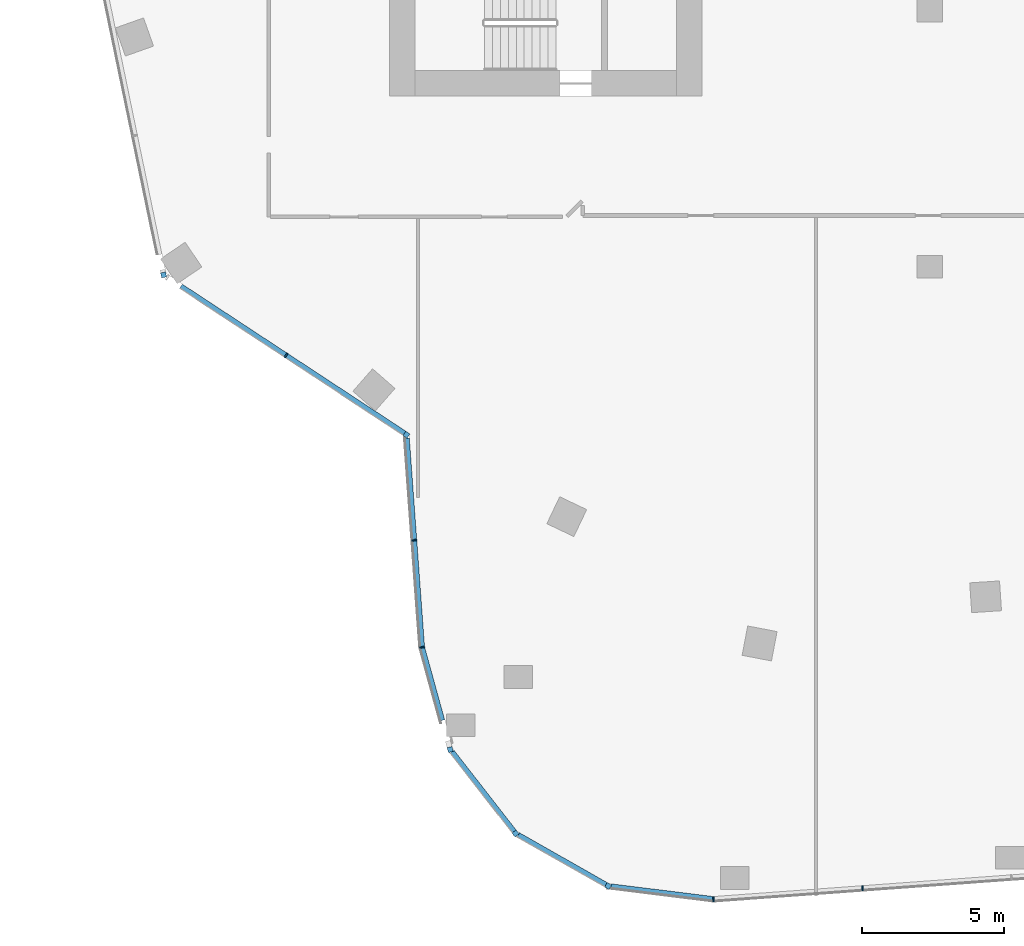
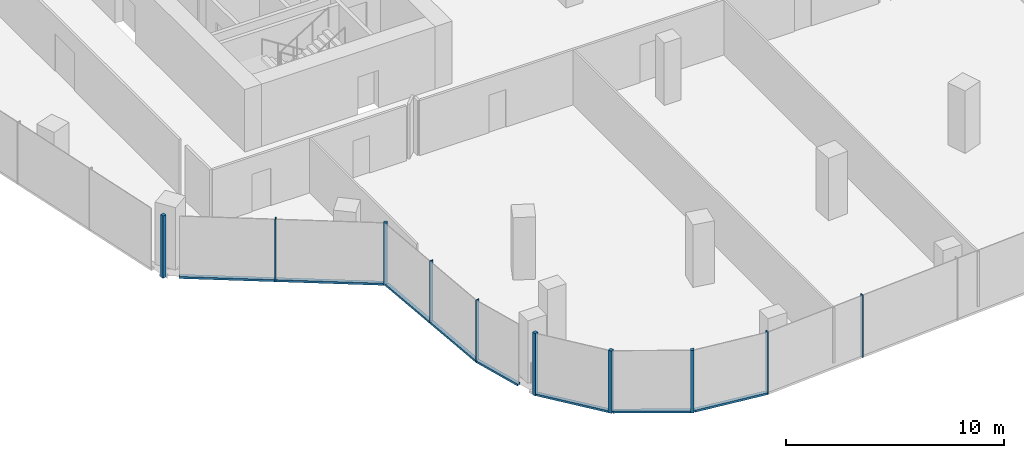
# One storey, part 2 of 24: 16 members, 8 elements without a shape of their own.
"""IFC4 building model written with IfcOpenShell, lengths in metres."""

from ifc_helpers import new_model, si_unit, direction, frame, origin, origin_2d, place, context, subcontext, project, spatial, rectangle, extrude, material, material_profile, profile_set, type_object, element, aggregate, save


model = new_model("IFC4")

# Units and contexts
model_context = context("Model", 3, precision=1e-05, world=origin(), true_north=direction((0.0, 1.0)))
body_context = subcontext(model_context, "Body", "Model", "MODEL_VIEW")
ifc_project = project(units=[si_unit("LENGTHUNIT", "METRE"), si_unit("AREAUNIT", "SQUARE_METRE"), si_unit("VOLUMEUNIT", "CUBIC_METRE"), si_unit("PLANEANGLEUNIT", "RADIAN"), si_unit("MASSUNIT", "GRAM", prefix="KILO")], contexts=[model_context])

# Site, building, storey
site_placement = place(None, origin())
site = spatial("IfcSite", under=ifc_project, at=site_placement, CompositionType="ELEMENT")
building_placement = place(site_placement, origin())
building = spatial("IfcBuilding", under=site, at=building_placement, Name="Orlundy Tower", CompositionType="ELEMENT")
storey_placement = place(building_placement, frame((0.0, 0.0, 235.5)))
storey = spatial("IfcBuildingStorey", under=building, at=storey_placement, Name="L62", CompositionType="ELEMENT", Elevation=235.5)

# Curtain wall, member
ifc_material_1 = material(Name="Aluminium bronze anodised", Category="aluminium")
curtain_wall_type = type_object("IfcCurtainWallType", Name="CW1 wall", PredefinedType="NOTDEFINED", material=ifc_material_1)
curtain_wall_1_placement = place(storey_placement, origin())
curtain_wall_1 = element("IfcCurtainWall", 1, at=curtain_wall_1_placement, inside=storey, type_object=curtain_wall_type, Name="CW1 run 09", PredefinedType="NOTDEFINED")
ifc_material_2 = material(Name="Aluminium bronze anodised", Category="aluminium")
ifc_material_profile_1 = material_profile(ifc_material_2, rectangle(XDim=0.179931640625, YDim=0.179931640625, at=origin_2d()), Name="CW1 corner post 180x180")
ifc_profile_set_1 = profile_set([ifc_material_profile_1], Name="Aluminium bronze anodised")
member_type_1 = type_object("IfcMemberType", Name="CW1 corner post 180x180", PredefinedType="MULLION", material=ifc_profile_set_1)
member_1_placement = place(storey_placement, frame((-11.309814453125, -39.7880859375, -0.39990234375), z_axis=(0.0, 0.0, 1.0), x_axis=(-0.493754430095, -0.869601381531, 0.0)))
member_1 = element("IfcMember", 2, at=member_1_placement, type_object=member_type_1, Name="CW1 mullion 15", PredefinedType="MULLION", context=body_context, shape_type="SweptSolid", body=[
    extrude(rectangle(XDim=0.179931640625, YDim=0.179931640625, at=origin_2d()), origin(), (0.0, 0.0, 1.0), 3.5),
])

curtain_wall_2_placement = place(storey_placement, origin())
curtain_wall_2 = element("IfcCurtainWall", 3, at=curtain_wall_2_placement, inside=storey, type_object=curtain_wall_type, Name="CW1 run 010", PredefinedType="NOTDEFINED")
member_2_placement = place(storey_placement, frame((-14.56396484375, -37.9404296875, -0.39990234375), z_axis=(0.0, 0.0, 1.0), x_axis=(-0.788858043661, -0.614575452611, 0.0)))
member_2 = element("IfcMember", 4, at=member_2_placement, type_object=member_type_1, Name="CW1 mullion 16", PredefinedType="MULLION", context=body_context, shape_type="SweptSolid", body=[
    extrude(rectangle(XDim=0.179931640625, YDim=0.179931640625, at=origin_2d()), origin(), (0.0, 0.0, 1.0), 3.5),
])

curtain_wall_3_placement = place(storey_placement, origin())
curtain_wall_3 = element("IfcCurtainWall", 5, at=curtain_wall_3_placement, inside=storey, type_object=curtain_wall_type, Name="CW1 run 011", PredefinedType="NOTDEFINED")
member_3_placement = place(storey_placement, frame((-16.864013671875, -34.98828125, -0.39990234375), z_axis=(0.0, 0.0, 1.0), x_axis=(-0.964037920682, -0.265764722051, 0.0)))
member_3 = element("IfcMember", 6, at=member_3_placement, type_object=member_type_1, Name="CW1 mullion 17", PredefinedType="MULLION", context=body_context, shape_type="SweptSolid", body=[
    extrude(rectangle(XDim=0.179931640625, YDim=0.179931640625, at=origin_2d()), origin(), (0.0, 0.0, 1.0), 3.5),
])

curtain_wall_4_placement = place(storey_placement, origin())
curtain_wall_4 = element("IfcCurtainWall", 7, at=curtain_wall_4_placement, inside=storey, type_object=curtain_wall_type, Name="CW1 run 013", PredefinedType="NOTDEFINED")
member_4_placement = place(storey_placement, frame((-18.401611328125, -23.911865234375, -0.39990234375), z_axis=(0.0, 0.0, 1.0), x_axis=(-0.54952678446, -0.835476099694, 0.0)))
member_4 = element("IfcMember", 8, at=member_4_placement, type_object=member_type_1, Name="CW1 mullion 20", PredefinedType="MULLION", context=body_context, shape_type="SweptSolid", body=[
    extrude(rectangle(XDim=0.179931640625, YDim=0.179931640625, at=origin_2d()), origin(), (0.0, 0.0, 1.0), 3.5),
])

curtain_wall_5_placement = place(storey_placement, origin())
curtain_wall_5 = element("IfcCurtainWall", 9, at=curtain_wall_5_placement, inside=storey, type_object=curtain_wall_type, Name="CW1 run 014", PredefinedType="NOTDEFINED")
member_5_placement = place(storey_placement, frame((-26.947509765625, -18.290771484375, -0.39990234375), z_axis=(0.0, 0.0, 1.0), x_axis=(-0.979337428215, -0.202233038095, 0.0)))
member_5 = element("IfcMember", 10, at=member_5_placement, type_object=member_type_1, Name="CW1 mullion 22", PredefinedType="MULLION", context=body_context, shape_type="SweptSolid", body=[
    extrude(rectangle(XDim=0.179931640625, YDim=0.179931640625, at=origin_2d()), origin(), (0.0, 0.0, 1.0), 3.5),
])
aggregate(curtain_wall_5, [member_5])

curtain_wall_6_placement = place(storey_placement, origin())
curtain_wall_6 = element("IfcCurtainWall", 11, at=curtain_wall_6_placement, inside=storey, type_object=curtain_wall_type, Name="CW1 run 07", PredefinedType="NOTDEFINED")
ifc_material_3 = material(Name="Aluminium bronze anodised", Category="aluminium")
ifc_material_profile_2 = material_profile(ifc_material_3, rectangle(XDim=0.179931640625, YDim=0.050048828125, at=origin_2d()), Name="CW1 mullion 50x180")
ifc_profile_set_2 = profile_set([ifc_material_profile_2], Name="Aluminium bronze anodised")
member_type_2 = type_object("IfcMemberType", Name="CW1 mullion 50x180", PredefinedType="MULLION", material=ifc_profile_set_2)
member_6_placement = place(storey_placement, frame((-2.359375, -39.8671875, -0.39990234375), z_axis=(0.0, 0.0, 1.0), x_axis=(0.072668329988, -0.997356161969, 0.0)))
member_6 = element("IfcMember", 12, at=member_6_placement, type_object=member_type_2, Name="CW1 mullion 13", PredefinedType="MULLION", context=body_context, shape_type="SweptSolid", body=[
    extrude(rectangle(XDim=0.179931640625, YDim=0.050048828125, at=origin_2d()), origin(), (0.0, 0.0, 1.0), 3.5),
])
aggregate(curtain_wall_6, [member_6])

curtain_wall_7_placement = place(storey_placement, origin())
curtain_wall_7 = element("IfcCurtainWall", 13, at=curtain_wall_7_placement, inside=storey, type_object=curtain_wall_type, Name="CW1 run 08", PredefinedType="NOTDEFINED")
member_7_placement = place(storey_placement, frame((-7.604248046875, -40.24951171875, -0.39990234375), z_axis=(0.0, 0.0, 1.0), x_axis=(-0.025557574662, -0.999673351839, 0.0)))
member_7 = element("IfcMember", 14, at=member_7_placement, type_object=member_type_2, Name="CW1 mullion 14", PredefinedType="MULLION", context=body_context, shape_type="SweptSolid", body=[
    extrude(rectangle(XDim=0.179931640625, YDim=0.050048828125, at=origin_2d()), origin(), (0.0, 0.0, 1.0), 3.5),
])

# Curtain wall, members
curtain_wall_8_placement = place(storey_placement, origin())
curtain_wall_8 = element("IfcCurtainWall", 15, at=curtain_wall_8_placement, inside=storey, type_object=curtain_wall_type, Name="CW1 run 012", PredefinedType="NOTDEFINED")
member_8_placement = place(storey_placement, frame((-17.856201171875, -31.389404296875, -0.39990234375), z_axis=(0.0, 0.0, 1.0), x_axis=(-0.985431391159, -0.170073435074, 0.0)))
member_8 = element("IfcMember", 16, at=member_8_placement, type_object=member_type_2, Name="CW1 mullion 18", PredefinedType="MULLION", context=body_context, shape_type="SweptSolid", body=[
    extrude(rectangle(XDim=0.179931640625, YDim=0.050048828125, at=origin_2d()), origin(), (0.0, 0.0, 1.0), 3.5),
])
member_9_placement = place(storey_placement, frame((-18.130859375, -27.6240234375, -0.39990234375), z_axis=(0.0, 0.0, 1.0), x_axis=(-0.997350428587, -0.072746976548, 0.0)))
member_9 = element("IfcMember", 17, at=member_9_placement, type_object=member_type_2, Name="CW1 mullion 19", PredefinedType="MULLION", context=body_context, shape_type="SweptSolid", body=[
    extrude(rectangle(XDim=0.179931640625, YDim=0.050048828125, at=origin_2d()), origin(), (0.0, 0.0, 1.0), 3.5),
])

# Member
member_10_placement = place(storey_placement, frame((-22.640380859375, -21.123779296875, -0.39990234375), z_axis=(0.0, 0.0, 1.0), x_axis=(-0.54952678446, -0.835476099694, 0.0)))
member_10 = element("IfcMember", 18, at=member_10_placement, type_object=member_type_2, Name="CW1 mullion 21", PredefinedType="MULLION", context=body_context, shape_type="SweptSolid", body=[
    extrude(rectangle(XDim=0.179931640625, YDim=0.050048828125, at=origin_2d()), origin(), (0.0, 0.0, 1.0), 3.5),
])

ifc_material_4 = material(Name="Aluminium bronze anodised", Category="aluminium")
ifc_material_profile_3 = material_profile(ifc_material_4, rectangle(XDim=0.179931640625, YDim=0.1201171875, at=origin_2d()), Name="CW1 transom 180x120")
ifc_profile_set_3 = profile_set([ifc_material_profile_3], Name="Aluminium bronze anodised")
member_type_3 = type_object("IfcMemberType", Name="CW1 transom 180x120", PredefinedType="USERDEFINED", material=ifc_profile_set_3)
member_11_placement = place(storey_placement, frame((-7.629150390625, -40.246337890625, -0.340087890625), z_axis=(-0.992336005458, 0.123568815938, 0.0), x_axis=(-0.123568815938, -0.992336005458, 0.0)))
member_11 = element("IfcMember", 19, at=member_11_placement, type_object=member_type_3, Name="CW1 transom", ObjectType="TRANSOM", PredefinedType="USERDEFINED", context=body_context, shape_type="SweptSolid", body=[
    extrude(rectangle(XDim=0.179931640625, YDim=0.1201171875, at=origin_2d()), origin(), (0.0, 0.0, 1.0), 3.611572265625),
])

aggregate(curtain_wall_7, [member_7, member_11])

member_12_placement = place(storey_placement, frame((-11.38818359375, -39.74365234375, -0.340087890625), z_axis=(-0.869596650944, 0.493762761523, 0.0), x_axis=(-0.493762761523, -0.869596650944, 0.0)))
member_12 = element("IfcMember", 20, at=member_12_placement, type_object=member_type_3, Name="CW1 transom", ObjectType="TRANSOM", PredefinedType="USERDEFINED", context=body_context, shape_type="SweptSolid", body=[
    extrude(rectangle(XDim=0.179931640625, YDim=0.1201171875, at=origin_2d()), origin(), (0.0, 0.0, 1.0), 3.5546875),
])

aggregate(curtain_wall_1, [member_1, member_12])

member_13_placement = place(storey_placement, frame((-14.619384765625, -37.869384765625, -0.340087890625), z_axis=(-0.614567998648, 0.788863850762, 0.0), x_axis=(-0.788863850762, -0.614567998648, 0.0)))
member_13 = element("IfcMember", 21, at=member_13_placement, type_object=member_type_3, Name="CW1 transom", ObjectType="TRANSOM", PredefinedType="USERDEFINED", context=body_context, shape_type="SweptSolid", body=[
    extrude(rectangle(XDim=0.179931640625, YDim=0.1201171875, at=origin_2d()), origin(), (0.0, 0.0, 1.0), 3.554931640625),
])

aggregate(curtain_wall_2, [member_2, member_13])

member_14_placement = place(storey_placement, frame((-17.14697265625, -33.961669921875, -0.340087890625), z_axis=(-0.265742522211, 0.96404404043, 0.0), x_axis=(-0.96404404043, -0.265742522211, 0.0)))
member_14 = element("IfcMember", 22, at=member_14_placement, type_object=member_type_3, Name="CW1 transom", ObjectType="TRANSOM", PredefinedType="USERDEFINED", context=body_context, shape_type="SweptSolid", body=[
    extrude(rectangle(XDim=0.179931640625, YDim=0.1201171875, at=origin_2d()), origin(), (0.0, 0.0, 1.0), 2.64306640625),
])

aggregate(curtain_wall_3, [member_3, member_14])

member_15_placement = place(storey_placement, frame((-17.85791015625, -31.3642578125, -0.340087890625), z_axis=(-0.072755906506, 0.997349777194, 0.0), x_axis=(-0.997349777194, -0.072755906506, 0.0)))
member_15 = element("IfcMember", 23, at=member_15_placement, type_object=member_type_3, Name="CW1 transom", ObjectType="TRANSOM", PredefinedType="USERDEFINED", context=body_context, shape_type="SweptSolid", body=[
    extrude(rectangle(XDim=0.179931640625, YDim=0.1201171875, at=origin_2d()), origin(), (0.0, 0.0, 1.0), 7.35888671875),
])

aggregate(curtain_wall_8, [member_8, member_9, member_15])

member_16_placement = place(storey_placement, frame((-18.476806640625, -23.8623046875, -0.340087890625), z_axis=(-0.835475394817, 0.549527856123, 0.0), x_axis=(-0.549527856123, -0.835475394817, 0.0)))
member_16 = element("IfcMember", 24, at=member_16_placement, type_object=member_type_3, Name="CW1 transom", ObjectType="TRANSOM", PredefinedType="USERDEFINED", context=body_context, shape_type="SweptSolid", body=[
    extrude(rectangle(XDim=0.179931640625, YDim=0.1201171875, at=origin_2d()), origin(), (0.0, 0.0, 1.0), 9.408935546875),
])

aggregate(curtain_wall_4, [member_4, member_10, member_16])

save(model, "model.ifc")
